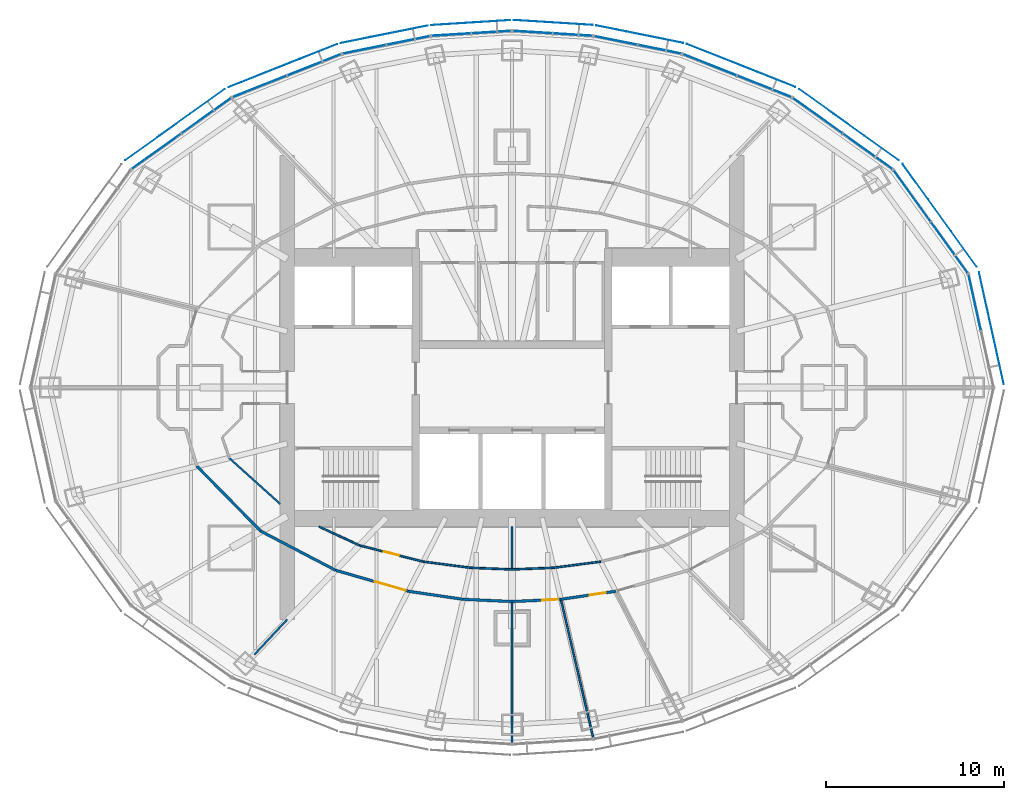
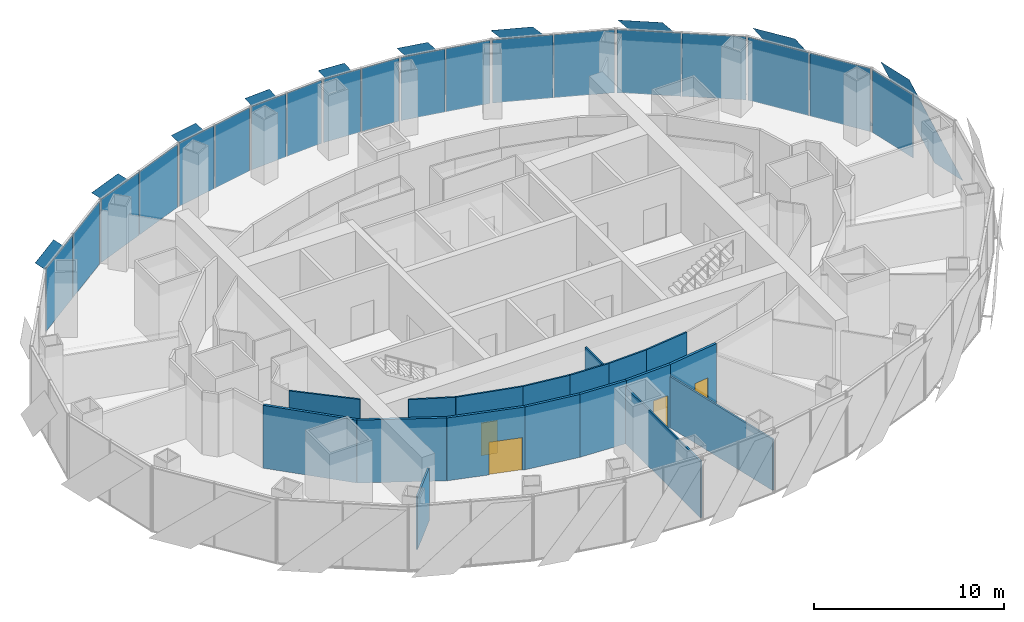
# One storey, part 11 of 17: 29 plates, 18 walls, 4 doors, 4 openings, 10 elements without a shape of their own.
"""IFC4 building model written with IfcOpenShell, lengths in metres."""

from ifc_helpers import new_model, si_unit, direction, frame, frame_2d, origin, origin_2d, place, context, subcontext, project, spatial, polyline, rectangle, outline, extrude, material, layer, layer_set, type_object, element, fill, aggregate, save


model = new_model("IFC4")

# Units and contexts
model_context = context("Model", 3, precision=1e-05, world=origin(), true_north=direction((0.0, 1.0)))
body_context = subcontext(model_context, "Body", "Model", "MODEL_VIEW")
ifc_project = project(units=[si_unit("LENGTHUNIT", "METRE"), si_unit("AREAUNIT", "SQUARE_METRE"), si_unit("VOLUMEUNIT", "CUBIC_METRE"), si_unit("PLANEANGLEUNIT", "RADIAN"), si_unit("MASSUNIT", "GRAM", prefix="KILO")], contexts=[model_context])

# Site, building, storey
site_placement = place(None, origin())
site = spatial("IfcSite", under=ifc_project, at=site_placement, CompositionType="ELEMENT")
building_placement = place(site_placement, origin())
building = spatial("IfcBuilding", under=site, at=building_placement, Name="Lantaw Convention Tower", CompositionType="ELEMENT")
storey_placement = place(building_placement, frame((0.0, 0.0, 224.199951171875)))
storey = spatial("IfcBuildingStorey", under=building, at=storey_placement, Name="L52", CompositionType="ELEMENT", Elevation=224.199951171875)

# Curtain wall, plate
ifc_material_1 = material(Name="Aluminium framed curtain wall", Category="aluminium")
curtain_wall_type = type_object("IfcCurtainWallType", Name="Office curtain wall high rise, pale aluminium", PredefinedType="USERDEFINED", material=ifc_material_1)
curtain_wall_1_placement = place(storey_placement, origin())
curtain_wall_1 = element("IfcCurtainWall", 1, at=curtain_wall_1_placement, inside=storey, type_object=curtain_wall_type, Name="Office curtain wall high rise, pale aluminium L52", ObjectType="UNITISED CURTAIN WALL", PredefinedType="USERDEFINED")
ifc_material_2 = material(Name="Clear insulating glass", Category="glass")
ifc_layer_1 = layer(ifc_material_2, 0.028076171875)
ifc_layer_set_1 = layer_set([ifc_layer_1], Name="CW-O2 panel 28")
plate_type_1 = type_object("IfcPlateType", Name="CW-O2 panel 28", PredefinedType="CURTAIN_PANEL", material=ifc_layer_set_1)
plate_1_placement = place(storey_placement, frame((25.945556640625, 4.769287109375, -0.0849609375), z_axis=(0.0, 0.0, 1.0), x_axis=(-0.215891333626, 0.976417396437, 0.0)))
plate_1 = element("IfcPlate", 2, at=plate_1_placement, type_object=plate_type_1, Name="CW-O2 panel 2.1", PredefinedType="CURTAIN_PANEL", context=body_context, shape_type="SweptSolid", body=[
    extrude(rectangle(XDim=3.169677734375, YDim=0.028076171875, at=origin_2d()), origin(), (0.0, 0.0, 1.0), 4.070068359375),
])
aggregate(curtain_wall_1, [plate_1])

# Curtain wall, plates
curtain_wall_2_placement = place(storey_placement, origin())
curtain_wall_2 = element("IfcCurtainWall", 3, at=curtain_wall_2_placement, inside=storey, type_object=curtain_wall_type, Name="Office curtain wall high rise, pale aluminium L52", ObjectType="UNITISED CURTAIN WALL", PredefinedType="USERDEFINED")
plate_2_placement = place(storey_placement, frame((24.527099609375, 7.852294921875, -0.0849609375), z_axis=(0.0, 0.0, 1.0), x_axis=(-0.585157643865, 0.810919559405, 0.0)))
plate_2 = element("IfcPlate", 4, at=plate_2_placement, type_object=plate_type_1, Name="CW-O2 panel 1.1", PredefinedType="CURTAIN_PANEL", context=body_context, shape_type="SweptSolid", body=[
    extrude(rectangle(XDim=3.500732421875, YDim=0.028076171875, at=origin_2d()), origin(), (0.0, 0.0, 1.0), 4.070068359375),
])
plate_3_placement = place(storey_placement, frame((22.4404296875, 10.743896484375, -0.0849609375), z_axis=(0.0, 0.0, 1.0), x_axis=(-0.585157643865, 0.810919559405, 0.0)))
plate_3 = element("IfcPlate", 5, at=plate_3_placement, type_object=plate_type_1, Name="CW-O2 panel 2.1", PredefinedType="CURTAIN_PANEL", context=body_context, shape_type="SweptSolid", body=[
    extrude(rectangle(XDim=3.500732421875, YDim=0.028076171875, at=origin_2d()), origin(), (0.0, 0.0, 1.0), 4.070068359375),
])
aggregate(curtain_wall_2, [plate_2, plate_3])

curtain_wall_3_placement = place(storey_placement, origin())
curtain_wall_3 = element("IfcCurtainWall", 6, at=curtain_wall_3_placement, inside=storey, type_object=curtain_wall_type, Name="Office curtain wall high rise, pale aluminium L52", ObjectType="UNITISED CURTAIN WALL", PredefinedType="USERDEFINED")
plate_4_placement = place(storey_placement, frame((19.947509765625, 13.23828125, -0.0849609375), z_axis=(0.0, 0.0, 1.0), x_axis=(-0.813672540482, 0.581323487281, 0.0)))
plate_4 = element("IfcPlate", 7, at=plate_4_placement, type_object=plate_type_1, Name="CW-O2 panel 1.1", PredefinedType="CURTAIN_PANEL", context=body_context, shape_type="SweptSolid", body=[
    extrude(rectangle(XDim=3.386474609375, YDim=0.028076171875, at=origin_2d()), origin(), (0.0, 0.0, 1.0), 4.070068359375),
])
plate_5_placement = place(storey_placement, frame((17.13916015625, 15.24462890625, -0.0849609375), z_axis=(0.0, 0.0, 1.0), x_axis=(-0.813672540482, 0.581323487281, 0.0)))
plate_5 = element("IfcPlate", 8, at=plate_5_placement, type_object=plate_type_1, Name="CW-O2 panel 2.1", PredefinedType="CURTAIN_PANEL", context=body_context, shape_type="SweptSolid", body=[
    extrude(rectangle(XDim=3.386474609375, YDim=0.028076171875, at=origin_2d()), origin(), (0.0, 0.0, 1.0), 4.070068359375),
])
aggregate(curtain_wall_3, [plate_4, plate_5])

curtain_wall_4_placement = place(storey_placement, origin())
curtain_wall_4 = element("IfcCurtainWall", 9, at=curtain_wall_4_placement, inside=storey, type_object=curtain_wall_type, Name="Office curtain wall high rise, pale aluminium L52", ObjectType="UNITISED CURTAIN WALL", PredefinedType="USERDEFINED")
plate_6_placement = place(storey_placement, frame((14.14990234375, 16.8837890625, -0.0849609375), z_axis=(0.0, 0.0, 1.0), x_axis=(-0.929761533743, 0.368162315252, 0.0)))
plate_6 = element("IfcPlate", 10, at=plate_6_placement, type_object=plate_type_1, Name="CW-O2 panel 1.1", PredefinedType="CURTAIN_PANEL", context=body_context, shape_type="SweptSolid", body=[
    extrude(rectangle(XDim=3.222900390625, YDim=0.028076171875, at=origin_2d()), origin(), (0.0, 0.0, 1.0), 4.070068359375),
])
plate_7_placement = place(storey_placement, frame((11.0927734375, 18.094482421875, -0.0849609375), z_axis=(0.0, 0.0, 1.0), x_axis=(-0.929761533743, 0.368162315252, 0.0)))
plate_7 = element("IfcPlate", 11, at=plate_7_placement, type_object=plate_type_1, Name="CW-O2 panel 2.1", PredefinedType="CURTAIN_PANEL", context=body_context, shape_type="SweptSolid", body=[
    extrude(rectangle(XDim=3.222900390625, YDim=0.028076171875, at=origin_2d()), origin(), (0.0, 0.0, 1.0), 4.070068359375),
])
aggregate(curtain_wall_4, [plate_6, plate_7])

curtain_wall_5_placement = place(storey_placement, origin())
curtain_wall_5 = element("IfcCurtainWall", 12, at=curtain_wall_5_placement, inside=storey, type_object=curtain_wall_type, Name="Office curtain wall high rise, pale aluminium L52", ObjectType="UNITISED CURTAIN WALL", PredefinedType="USERDEFINED")
plate_8_placement = place(storey_placement, frame((8.2724609375, 18.96533203125, -0.0849609375), z_axis=(0.0, 0.0, 1.0), x_axis=(-0.980366679695, 0.197183095987, 0.0)))
plate_8 = element("IfcPlate", 13, at=plate_8_placement, type_object=plate_type_1, Name="CW-O2 panel 1.1", PredefinedType="CURTAIN_PANEL", context=body_context, shape_type="SweptSolid", body=[
    extrude(rectangle(XDim=2.44384765625, YDim=0.028076171875, at=origin_2d()), origin(), (0.0, 0.0, 1.0), 4.070068359375),
])
plate_9_placement = place(storey_placement, frame((5.81298828125, 19.4599609375, -0.0849609375), z_axis=(0.0, 0.0, 1.0), x_axis=(-0.980366679695, 0.197183095987, 0.0)))
plate_9 = element("IfcPlate", 14, at=plate_9_placement, type_object=plate_type_1, Name="CW-O2 panel 2.1", PredefinedType="CURTAIN_PANEL", context=body_context, shape_type="SweptSolid", body=[
    extrude(rectangle(XDim=2.44384765625, YDim=0.028076171875, at=origin_2d()), origin(), (0.0, 0.0, 1.0), 4.070068359375),
])
aggregate(curtain_wall_5, [plate_8, plate_9])

curtain_wall_6_placement = place(storey_placement, origin())
curtain_wall_6 = element("IfcCurtainWall", 15, at=curtain_wall_6_placement, inside=storey, type_object=curtain_wall_type, Name="Office curtain wall high rise, pale aluminium L52", ObjectType="UNITISED CURTAIN WALL", PredefinedType="USERDEFINED")
plate_10_placement = place(storey_placement, frame((3.397216796875, 19.786376953125, -0.0849609375), z_axis=(0.0, 0.0, 1.0), x_axis=(-0.998028774865, 0.062757983884, 0.0)))
plate_10 = element("IfcPlate", 16, at=plate_10_placement, type_object=plate_type_1, Name="CW-O2 panel 1.1", PredefinedType="CURTAIN_PANEL", context=body_context, shape_type="SweptSolid", body=[
    extrude(rectangle(XDim=2.1826171875, YDim=0.028076171875, at=origin_2d()), origin(), (0.0, 0.0, 1.0), 4.070068359375),
])
plate_11_placement = place(storey_placement, frame((1.154052734375, 19.927490234375, -0.0849609375), z_axis=(0.0, 0.0, 1.0), x_axis=(-0.998028774865, 0.062757983884, 0.0)))
plate_11 = element("IfcPlate", 17, at=plate_11_placement, type_object=plate_type_1, Name="CW-O2 panel 2.1", PredefinedType="CURTAIN_PANEL", context=body_context, shape_type="SweptSolid", body=[
    extrude(rectangle(XDim=2.1826171875, YDim=0.028076171875, at=origin_2d()), origin(), (0.0, 0.0, 1.0), 4.070068359375),
])
aggregate(curtain_wall_6, [plate_10, plate_11])

curtain_wall_7_placement = place(storey_placement, origin())
curtain_wall_7 = element("IfcCurtainWall", 18, at=curtain_wall_7_placement, inside=storey, type_object=curtain_wall_type, Name="Office curtain wall high rise, pale aluminium L52", ObjectType="UNITISED CURTAIN WALL", PredefinedType="USERDEFINED")
plate_12_placement = place(storey_placement, frame((-1.154052734375, 19.927490234375, -0.0849609375), z_axis=(0.0, 0.0, 1.0), x_axis=(-0.998028774865, -0.062757983884, 0.0)))
plate_12 = element("IfcPlate", 19, at=plate_12_placement, type_object=plate_type_1, Name="CW-O2 panel 1.1", PredefinedType="CURTAIN_PANEL", context=body_context, shape_type="SweptSolid", body=[
    extrude(rectangle(XDim=2.1826171875, YDim=0.028076171875, at=origin_2d()), origin(), (0.0, 0.0, 1.0), 4.070068359375),
])
plate_13_placement = place(storey_placement, frame((-3.397216796875, 19.786376953125, -0.0849609375), z_axis=(0.0, 0.0, 1.0), x_axis=(-0.998028774865, -0.062757983884, 0.0)))
plate_13 = element("IfcPlate", 20, at=plate_13_placement, type_object=plate_type_1, Name="CW-O2 panel 2.1", PredefinedType="CURTAIN_PANEL", context=body_context, shape_type="SweptSolid", body=[
    extrude(rectangle(XDim=2.1826171875, YDim=0.028076171875, at=origin_2d()), origin(), (0.0, 0.0, 1.0), 4.070068359375),
])
aggregate(curtain_wall_7, [plate_12, plate_13])

curtain_wall_8_placement = place(storey_placement, origin())
curtain_wall_8 = element("IfcCurtainWall", 21, at=curtain_wall_8_placement, inside=storey, type_object=curtain_wall_type, Name="Office curtain wall high rise, pale aluminium L52", ObjectType="UNITISED CURTAIN WALL", PredefinedType="USERDEFINED")
plate_14_placement = place(storey_placement, frame((-5.81298828125, 19.4599609375, -0.0849609375), z_axis=(0.0, 0.0, 1.0), x_axis=(-0.980366679695, -0.197183095987, 0.0)))
plate_14 = element("IfcPlate", 22, at=plate_14_placement, type_object=plate_type_1, Name="CW-O2 panel 1.1", PredefinedType="CURTAIN_PANEL", context=body_context, shape_type="SweptSolid", body=[
    extrude(rectangle(XDim=2.44384765625, YDim=0.028076171875, at=origin_2d()), origin(), (0.0, 0.0, 1.0), 4.070068359375),
])
plate_15_placement = place(storey_placement, frame((-8.2724609375, 18.96533203125, -0.0849609375), z_axis=(0.0, 0.0, 1.0), x_axis=(-0.980366679695, -0.197183095987, 0.0)))
plate_15 = element("IfcPlate", 23, at=plate_15_placement, type_object=plate_type_1, Name="CW-O2 panel 2.1", PredefinedType="CURTAIN_PANEL", context=body_context, shape_type="SweptSolid", body=[
    extrude(rectangle(XDim=2.44384765625, YDim=0.028076171875, at=origin_2d()), origin(), (0.0, 0.0, 1.0), 4.070068359375),
])
aggregate(curtain_wall_8, [plate_14, plate_15])

curtain_wall_9_placement = place(storey_placement, origin())
curtain_wall_9 = element("IfcCurtainWall", 24, at=curtain_wall_9_placement, inside=storey, type_object=curtain_wall_type, Name="Office curtain wall high rise, pale aluminium L52", ObjectType="UNITISED CURTAIN WALL", PredefinedType="USERDEFINED")
plate_16_placement = place(storey_placement, frame((-11.0927734375, 18.094482421875, -0.0849609375), z_axis=(0.0, 0.0, 1.0), x_axis=(-0.929761533743, -0.368162315252, 0.0)))
plate_16 = element("IfcPlate", 25, at=plate_16_placement, type_object=plate_type_1, Name="CW-O2 panel 1.1", PredefinedType="CURTAIN_PANEL", context=body_context, shape_type="SweptSolid", body=[
    extrude(rectangle(XDim=3.222900390625, YDim=0.028076171875, at=origin_2d()), origin(), (0.0, 0.0, 1.0), 4.070068359375),
])
plate_17_placement = place(storey_placement, frame((-14.14990234375, 16.8837890625, -0.0849609375), z_axis=(0.0, 0.0, 1.0), x_axis=(-0.929761533743, -0.368162315252, 0.0)))
plate_17 = element("IfcPlate", 26, at=plate_17_placement, type_object=plate_type_1, Name="CW-O2 panel 2.1", PredefinedType="CURTAIN_PANEL", context=body_context, shape_type="SweptSolid", body=[
    extrude(rectangle(XDim=3.222900390625, YDim=0.028076171875, at=origin_2d()), origin(), (0.0, 0.0, 1.0), 4.070068359375),
])
aggregate(curtain_wall_9, [plate_16, plate_17])

curtain_wall_10_placement = place(storey_placement, origin())
curtain_wall_10 = element("IfcCurtainWall", 27, at=curtain_wall_10_placement, inside=storey, type_object=curtain_wall_type, Name="Office curtain wall high rise, pale aluminium L52", ObjectType="UNITISED CURTAIN WALL", PredefinedType="USERDEFINED")
plate_18_placement = place(storey_placement, frame((-17.13916015625, 15.24462890625, -0.0849609375), z_axis=(0.0, 0.0, 1.0), x_axis=(-0.813672540482, -0.581323487281, 0.0)))
plate_18 = element("IfcPlate", 28, at=plate_18_placement, type_object=plate_type_1, Name="CW-O2 panel 1.1", PredefinedType="CURTAIN_PANEL", context=body_context, shape_type="SweptSolid", body=[
    extrude(rectangle(XDim=3.386474609375, YDim=0.028076171875, at=origin_2d()), origin(), (0.0, 0.0, 1.0), 4.070068359375),
])
plate_19_placement = place(storey_placement, frame((-19.947509765625, 13.23828125, -0.0849609375), z_axis=(0.0, 0.0, 1.0), x_axis=(-0.813672540482, -0.581323487281, 0.0)))
plate_19 = element("IfcPlate", 29, at=plate_19_placement, type_object=plate_type_1, Name="CW-O2 panel 2.1", PredefinedType="CURTAIN_PANEL", context=body_context, shape_type="SweptSolid", body=[
    extrude(rectangle(XDim=3.386474609375, YDim=0.028076171875, at=origin_2d()), origin(), (0.0, 0.0, 1.0), 4.070068359375),
])
aggregate(curtain_wall_10, [plate_18, plate_19])

# Plates
ifc_material_3 = material(Name="Perforated aluminium sheet, pale silver finish", Category="aluminium")
ifc_layer_2 = layer(ifc_material_3, 0.006103515625)
ifc_layer_set_2 = layer_set([ifc_layer_2], Name="Perforated aluminium solar SCREEN panel")
plate_type_2 = type_object("IfcPlateType", Name="Perforated aluminium solar SCREEN panel", PredefinedType="SHEET", material=ifc_layer_set_2)
plate_20_placement = place(storey_placement, frame((27.580810546875, 0.1796875, -0.175048828125), z_axis=(0.976429511424, 0.215836529031, 4.4219438e-05), x_axis=(-0.215836529242, 0.976429512379, 0.0)))
element("IfcPlate", 30, at=plate_20_placement, inside=storey, type_object=plate_type_2, Name="Solar SCREEN panel", PredefinedType="SHEET", context=body_context, shape_type="SweptSolid", body=[
    extrude(outline(polyline([(0.0, 0.0), (2.2215525295212517, -3.3881317890172014e-21), (6.4341686174090675, 4.340087894868215), (4.212616087887817, 4.340087894868215), (0.0, 0.0)])), origin(), (0.0, 0.0, -1.0), 0.006103515625),
])
plate_21_placement = place(storey_placement, frame((26.051513671875, 6.775390625, -0.175048828125), z_axis=(-0.810892289695, -0.585195432394, 2.0458414e-05), x_axis=(-0.585195432516, 0.810892289865, 0.0)))
element("IfcPlate", 31, at=plate_21_placement, inside=storey, type_object=plate_type_2, Name="Solar SCREEN panel", PredefinedType="SHEET", context=body_context, shape_type="SweptSolid", body=[
    extrude(outline(polyline([(0.0, 0.0), (2.446848840683286, 6.776263578034403e-21), (7.09661046667572, -4.340087891533265), (4.649761625992435, -4.340087891533265), (0.0, 0.0)])), origin(), (0.0, 0.0, -1.0), 0.006103515625),
])
plate_22_placement = place(storey_placement, frame((21.689697265625, 12.73828125, -0.175048828125), z_axis=(0.581330799771, 0.813667316006, 1.0072414e-05), x_axis=(-0.813667316047, 0.5813307998, 3.02e-10)))
element("IfcPlate", 32, at=plate_22_placement, inside=storey, type_object=plate_type_2, Name="Solar SCREEN panel", PredefinedType="SHEET", context=body_context, shape_type="SweptSolid", body=[
    extrude(outline(polyline([(0.0, 0.0), (2.3691416428668504, 0.0), (6.867806096558412, 4.34008788877314), (4.498863102938644, 4.340087890202622), (0.0, 0.0)])), origin(), (0.0, 0.0, -1.0), 0.006103515625),
])
plate_23_placement = place(storey_placement, frame((15.88525390625, 16.8486328125, -0.175048828125), z_axis=(-0.368116612072, -0.929779629081, 3.5533269e-05), x_axis=(-0.929779629668, 0.368116612304, -1.786e-09)))
element("IfcPlate", 33, at=plate_23_placement, inside=storey, type_object=plate_type_2, Name="Solar SCREEN panel", PredefinedType="SHEET", context=body_context, shape_type="SweptSolid", body=[
    extrude(outline(polyline([(0.0, 0.0), (2.2578720663572183, -3.3881317890172014e-21), (6.540904465438181, -4.340087905048178), (4.282942526861161, -4.340087896982072), (0.0, 0.0)])), origin(), (0.0, 0.0, -1.0), 0.006103515625),
])
plate_24_placement = place(storey_placement, frame((9.6044921875, 19.315673828125, -0.175048828125), z_axis=(-0.197162069853, -0.980370908428, 1.0904083e-05), x_axis=(-0.980370908486, 0.197162069865, -7.55e-10)))
element("IfcPlate", 34, at=plate_24_placement, inside=storey, type_object=plate_type_2, Name="Solar SCREEN panel", PredefinedType="SHEET", context=body_context, shape_type="SweptSolid", body=[
    extrude(outline(polyline([(0.0, 0.0), (1.7279870169553606, 8.470329472543003e-22), (4.982578440602753, -4.340087894645749), (3.2545432883764285, -4.340087892035838), (0.0, 0.0)])), origin(), (0.0, 0.0, -1.0), 0.006103515625),
])
plate_25_placement = place(storey_placement, frame((4.539306640625, 20.32177734375, -0.175048828125), z_axis=(-0.062672387577, -0.998034151922, 5.858668e-05), x_axis=(-0.998034153635, 0.062672387685, 0.0)))
element("IfcPlate", 35, at=plate_25_placement, inside=storey, type_object=plate_type_2, Name="Solar SCREEN panel", PredefinedType="SHEET", context=body_context, shape_type="SweptSolid", body=[
    extrude(outline(polyline([(0.0, 0.0), (1.5504111513762302, 8.470329472543003e-22), (4.460200019412434, -4.340087898073457), (2.9097888680362036, -4.340087898073457), (0.0, 0.0)])), origin(), (0.0, 0.0, -1.0), 0.006103515625),
])
plate_26_placement = place(storey_placement, frame((-0.087890625, 20.6015625, -0.175048828125), z_axis=(-0.062672387577, 0.998034151922, 5.858668e-05), x_axis=(-0.998034153635, -0.062672387685, 0.0)))
element("IfcPlate", 36, at=plate_26_placement, inside=storey, type_object=plate_type_2, Name="Solar SCREEN panel", PredefinedType="SHEET", context=body_context, shape_type="SweptSolid", body=[
    extrude(outline(polyline([(0.0, 0.0), (1.5504111513762302, -8.470329472543003e-22), (4.460200019412434, 4.340087898073457), (2.9097888680362036, 4.340087898073457), (0.0, 0.0)])), origin(), (0.0, 0.0, -1.0), 0.006103515625),
])
plate_27_placement = place(storey_placement, frame((-4.7197265625, 20.298095703125, -0.175048828125), z_axis=(-0.197162069853, 0.980370908428, 1.0904083e-05), x_axis=(-0.980370908486, -0.197162069865, 7.55e-10)))
element("IfcPlate", 37, at=plate_27_placement, inside=storey, type_object=plate_type_2, Name="Solar SCREEN panel", PredefinedType="SHEET", context=body_context, shape_type="SweptSolid", body=[
    extrude(outline(polyline([(0.0, 0.0), (1.7280351522263238, 4.235164736271502e-22), (4.982578447157737, 4.34008788712039), (3.2545914302023755, 4.340087889730228), (0.0, 0.0)])), origin(), (0.0, 0.0, -1.0), 0.006103515625),
])
plate_28_placement = place(storey_placement, frame((-9.8037109375, 19.256591796875, -0.175048828125), z_axis=(-0.368116612072, 0.929779629081, 3.5533269e-05), x_axis=(-0.929779629668, -0.368116612304, 1.786e-09)))
element("IfcPlate", 38, at=plate_28_placement, inside=storey, type_object=plate_type_2, Name="Solar SCREEN panel", PredefinedType="SHEET", context=body_context, shape_type="SweptSolid", body=[
    extrude(outline(polyline([(0.0, 0.0), (2.257961938577019, 0.0), (6.540904480942253, 4.34008788168214), (4.283032414585035, 4.340087889747925), (0.0, 0.0)])), origin(), (0.0, 0.0, -1.0), 0.006103515625),
])
plate_29_placement = place(storey_placement, frame((-16.1015625, 16.730712890625, -0.175048828125), z_axis=(0.581330799771, -0.813667316006, 1.0072414e-05), x_axis=(-0.813667316047, -0.5813307998, -3.02e-10)))
element("IfcPlate", 39, at=plate_29_placement, inside=storey, type_object=plate_type_2, Name="Solar SCREEN panel", PredefinedType="SHEET", context=body_context, shape_type="SweptSolid", body=[
    extrude(outline(polyline([(0.0, 0.0), (2.3689429936197683, -1.6940658945086007e-21), (6.867806093939489, -4.340087892917353), (4.498664451072639, -4.340087891487751), (0.0, 0.0)])), origin(), (0.0, 0.0, -1.0), 0.006103515625),
])

# Walls
ifc_material_4 = material(Name="Gypsum board on steel studs, fire rated", Category="steel")
ifc_layer_3 = layer(ifc_material_4, 0.14990234375)
ifc_layer_set_3 = layer_set([ifc_layer_3], Name="Corridor wall 150 EI 60")
wall_type_1 = type_object("IfcWallType", Name="Corridor wall 150 EI 60", PredefinedType="PARTITIONING", material=ifc_layer_set_3)
wall_1_placement = place(storey_placement, frame((-17.6728515625, -4.40625, 0.0), z_axis=(0.0, 0.0, 1.0), x_axis=(0.701111216625, -0.713051934941, 0.0)))
element("IfcWall", 40, at=wall_1_placement, inside=storey, type_object=wall_type_1, Name="Corridor wall 150", PredefinedType="PARTITIONING", context=body_context, shape_type="SweptSolid", body=[
    extrude(rectangle(XDim=5.111572265625, YDim=0.14990234375, at=frame_2d((2.5556640625, 0.0))), origin(), (0.0, 0.0, 1.0), 4.050048828125),
])
wall_2_placement = place(storey_placement, frame((-14.089111328125, -8.051025390625, 0.0), z_axis=(0.0, 0.0, 1.0), x_axis=(0.886174439647, -0.463351769735, 0.0)))
element("IfcWall", 41, at=wall_2_placement, inside=storey, type_object=wall_type_1, Name="Corridor wall 150", PredefinedType="PARTITIONING", context=body_context, shape_type="SweptSolid", body=[
    extrude(rectangle(XDim=4.734619140625, YDim=0.14990234375, at=frame_2d((2.3671875, 0.0))), origin(), (0.0, 0.0, 1.0), 4.050048828125),
])

# Wall, opening, door
wall_3_placement = place(storey_placement, frame((-9.893310546875, -10.244873046875, 0.0), z_axis=(0.0, 0.0, 1.0), x_axis=(0.960614838378, -0.27788330696, 0.0)))
wall_3 = element("IfcWall", 42, at=wall_3_placement, inside=storey, type_object=wall_type_1, Name="Corridor wall 150", PredefinedType="PARTITIONING", context=body_context, shape_type="SweptSolid", body=[
    extrude(rectangle(XDim=4.239990234375, YDim=0.14990234375, at=frame_2d((2.1201171875, 0.0))), origin(), (0.0, 0.0, 1.0), 4.050048828125),
])
opening_1_placement = place(wall_3_placement, frame((2.2900390625, 0.0, 0.0)))
opening_1 = element("IfcOpeningElement", 43, at=opening_1_placement, cuts=wall_3, Name="Opening L52.29", PredefinedType="OPENING", context=body_context, shape_type="SweptSolid", body=[
    extrude(rectangle(XDim=1.800048828125, YDim=2.10009765625, at=frame_2d((0.89990234375, 1.050048828125))), frame((0.0, 0.0849609375, 0.0), z_axis=(0.0, -1.0, 0.0), x_axis=(1.0, 0.0, 0.0)), (0.0, 0.0, 1.0), 0.169921875),
])
ifc_material_5 = material(Name="Steel, fire rated", Category="steel")
door_type_1 = type_object("IfcDoorType", Name="Office double door 1800 FD30", OperationType="DOUBLE_DOOR_DOUBLE_SWING", PredefinedType="DOOR", material=ifc_material_5)
door_1_placement = place(opening_1_placement, origin())
door_1 = element("IfcDoor", 44, at=door_1_placement, inside=storey, type_object=door_type_1, Name="Open office door", OperationType="DOUBLE_DOOR_DOUBLE_SWING", OverallHeight=2.10009765625, OverallWidth=1.800048828125, PredefinedType="DOOR", context=body_context, shape_type="SweptSolid", body=[
    extrude(rectangle(XDim=1.800048828125, YDim=2.10009765625, at=frame_2d((0.89990234375, 1.050048828125))), frame((0.0, 0.02490234375, 0.0), z_axis=(0.0, -1.0, 0.0), x_axis=(1.0, 0.0, 0.0)), (0.0, 0.0, 1.0), 0.050048828125),
])
fill(opening_1, door_1)

# Walls
wall_4_placement = place(storey_placement, frame((-5.8203125, -11.423095703125, 0.0), z_axis=(0.0, 0.0, 1.0), x_axis=(0.989421822189, -0.145067080265, 0.0)))
element("IfcWall", 45, at=wall_4_placement, inside=storey, type_object=wall_type_1, Name="Corridor wall 150", PredefinedType="PARTITIONING", context=body_context, shape_type="SweptSolid", body=[
    extrude(rectangle(XDim=3.11181640625, YDim=0.14990234375, at=frame_2d((1.555908203125, 0.0))), origin(), (0.0, 0.0, 1.0), 4.050048828125),
])
wall_5_placement = place(storey_placement, frame((-2.741455078125, -11.87451171875, 0.0), z_axis=(0.0, 0.0, 1.0), x_axis=(0.998953998629, -0.045726454297, 0.0)))
element("IfcWall", 46, at=wall_5_placement, inside=storey, type_object=wall_type_1, Name="Corridor wall 150", PredefinedType="PARTITIONING", context=body_context, shape_type="SweptSolid", body=[
    extrude(rectangle(XDim=2.744384765625, YDim=0.14990234375, at=frame_2d((1.3720703125, 0.0))), origin(), (0.0, 0.0, 1.0), 4.050048828125),
])

# Wall, opening, door
wall_6_placement = place(storey_placement, frame((0.0, -12.0, 0.0), z_axis=(0.0, 0.0, 1.0), x_axis=(0.998953998629, 0.045726454297, 0.0)))
wall_6 = element("IfcWall", 47, at=wall_6_placement, inside=storey, type_object=wall_type_1, Name="Corridor wall 150", PredefinedType="PARTITIONING", context=body_context, shape_type="SweptSolid", body=[
    extrude(rectangle(XDim=2.744384765625, YDim=0.14990234375, at=frame_2d((1.3720703125, 0.0))), origin(), (0.0, 0.0, 1.0), 4.050048828125),
])
opening_2_placement = place(wall_6_placement, frame((1.6943359375, 0.0, 0.0)))
opening_2 = element("IfcOpeningElement", 48, at=opening_2_placement, cuts=wall_6, Name="Opening L52.30", PredefinedType="OPENING", context=body_context, shape_type="SweptSolid", body=[
    extrude(rectangle(XDim=0.89990234375, YDim=2.10009765625, at=frame_2d((0.449951171875, 1.050048828125))), frame((0.0, 0.0849609375, 0.0), z_axis=(0.0, -1.0, 0.0), x_axis=(1.0, 0.0, 0.0)), (0.0, 0.0, 1.0), 0.169921875),
])
door_type_2 = type_object("IfcDoorType", Name="Office door 900 FD30", OperationType="SINGLE_SWING_LEFT", PredefinedType="DOOR", material=ifc_material_5)
door_2_placement = place(opening_2_placement, origin())
door_2 = element("IfcDoor", 49, at=door_2_placement, inside=storey, type_object=door_type_2, Name="Meeting room door", OperationType="SINGLE_SWING_LEFT", OverallHeight=2.10009765625, OverallWidth=0.89990234375, PredefinedType="DOOR", context=body_context, shape_type="SweptSolid", body=[
    extrude(rectangle(XDim=0.89990234375, YDim=2.10009765625, at=frame_2d((0.449951171875, 1.050048828125))), frame((0.0, 0.02490234375, 0.0), z_axis=(0.0, -1.0, 0.0), x_axis=(1.0, 0.0, 0.0)), (0.0, 0.0, 1.0), 0.050048828125),
])
fill(opening_2, door_2)

wall_7_placement = place(storey_placement, frame((2.741455078125, -11.87451171875, 0.0), z_axis=(0.0, 0.0, 1.0), x_axis=(0.989421822189, 0.145067080265, 0.0)))
wall_7 = element("IfcWall", 50, at=wall_7_placement, inside=storey, type_object=wall_type_1, Name="Corridor wall 150", PredefinedType="PARTITIONING", context=body_context, shape_type="SweptSolid", body=[
    extrude(rectangle(XDim=3.11181640625, YDim=0.14990234375, at=frame_2d((1.555908203125, 0.0))), origin(), (0.0, 0.0, 1.0), 4.050048828125),
])
opening_3_placement = place(wall_7_placement, frame((1.636962890625, 0.0, 0.0)))
opening_3 = element("IfcOpeningElement", 51, at=opening_3_placement, cuts=wall_7, Name="Opening L52.31", PredefinedType="OPENING", context=body_context, shape_type="SweptSolid", body=[
    extrude(rectangle(XDim=0.89990234375, YDim=2.10009765625, at=frame_2d((0.449951171875, 1.050048828125))), frame((0.0, 0.0849609375, 0.0), z_axis=(0.0, -1.0, 0.0), x_axis=(1.0, 0.0, 0.0)), (0.0, 0.0, 1.0), 0.169921875),
])
door_3_placement = place(opening_3_placement, origin())
door_3 = element("IfcDoor", 52, at=door_3_placement, inside=storey, type_object=door_type_2, Name="Meeting room door", OperationType="SINGLE_SWING_LEFT", OverallHeight=2.10009765625, OverallWidth=0.89990234375, PredefinedType="DOOR", context=body_context, shape_type="SweptSolid", body=[
    extrude(rectangle(XDim=0.89990234375, YDim=2.10009765625, at=frame_2d((0.449951171875, 1.050048828125))), frame((0.0, 0.02490234375, 0.0), z_axis=(0.0, -1.0, 0.0), x_axis=(1.0, 0.0, 0.0)), (0.0, 0.0, 1.0), 0.050048828125),
])
fill(opening_3, door_3)

# Walls
ifc_material_6 = material(Name="Gypsum board on steel studs, acoustic", Category="steel")
ifc_layer_4 = layer(ifc_material_6, 0.10009765625)
ifc_layer_set_4 = layer_set([ifc_layer_4], Name="Office partition 100")
wall_type_2 = type_object("IfcWallType", Name="Office partition 100", PredefinedType="PARTITIONING", material=ifc_layer_set_4)
wall_8_placement = place(storey_placement, frame((0.0, -19.94482421875, 0.0), z_axis=(0.0, 0.0, 1.0), x_axis=(0.0, 1.0, 0.0)))
element("IfcWall", 53, at=wall_8_placement, inside=storey, type_object=wall_type_2, Name="Office partition 100", PredefinedType="PARTITIONING", context=body_context, shape_type="SweptSolid", body=[
    extrude(rectangle(XDim=7.94482421875, YDim=0.10009765625, at=frame_2d((3.972412109375, 0.0))), origin(), (0.0, 0.0, 1.0), 3.6435546875),
])
wall_9_placement = place(storey_placement, frame((4.5556640625, -19.65673828125, 0.0), z_axis=(0.0, 0.0, 1.0), x_axis=(-0.227034513848, 0.973886712879, 0.0)))
element("IfcWall", 54, at=wall_9_placement, inside=storey, type_object=wall_type_2, Name="Office partition 100", PredefinedType="PARTITIONING", context=body_context, shape_type="SweptSolid", body=[
    extrude(rectangle(XDim=7.990966796875, YDim=0.10009765625, at=frame_2d((3.99560546875, 0.0))), origin(), (0.0, 0.0, 1.0), 3.293212890625),
])
wall_10_placement = place(storey_placement, frame((-13.0, -6.5244140625, 0.0), z_axis=(0.0, 0.0, 1.0), x_axis=(-0.743177243228, 0.669094601046, 0.0)))
element("IfcWall", 55, at=wall_10_placement, inside=storey, type_object=wall_type_2, Name="Office partition 100", PredefinedType="PARTITIONING", context=body_context, shape_type="SweptSolid", body=[
    extrude(rectangle(XDim=3.842529296875, YDim=0.10009765625, at=frame_2d((1.92138671875, 0.0))), origin(), (0.0, 0.0, 1.0), 4.050048828125),
])
wall_11_placement = place(storey_placement, frame((-2.3330078125, -10.105712890625, 0.0), z_axis=(0.0, 0.0, 1.0), x_axis=(-0.99173579163, 0.128296997624, 0.0)))
element("IfcWall", 56, at=wall_11_placement, inside=storey, type_object=wall_type_2, Name="Office partition 100", PredefinedType="PARTITIONING", context=body_context, shape_type="SweptSolid", body=[
    extrude(rectangle(XDim=2.6640625, YDim=0.10009765625, at=frame_2d((1.33203125, 0.0))), origin(), (0.0, 0.0, 1.0), 4.050048828125),
])

# Wall, opening, door
wall_12_placement = place(storey_placement, frame((-4.97509765625, -9.763916015625, 0.0), z_axis=(0.0, 0.0, 1.0), x_axis=(-0.968887312542, 0.247502273921, 0.0)))
wall_12 = element("IfcWall", 57, at=wall_12_placement, inside=storey, type_object=wall_type_2, Name="Office partition 100", PredefinedType="PARTITIONING", context=body_context, shape_type="SweptSolid", body=[
    extrude(rectangle(XDim=3.687255859375, YDim=0.10009765625, at=frame_2d((1.84375, 0.0))), origin(), (0.0, 0.0, 1.0), 4.050048828125),
])
opening_4_placement = place(wall_12_placement, frame((1.393798828125, 0.0, 0.0)))
opening_4 = element("IfcOpeningElement", 58, at=opening_4_placement, cuts=wall_12, Name="Opening L52.19", PredefinedType="OPENING", context=body_context, shape_type="SweptSolid", body=[
    extrude(rectangle(XDim=0.89990234375, YDim=2.10009765625, at=frame_2d((0.449951171875, 1.050048828125))), frame((0.0, 0.06005859375, 0.0), z_axis=(0.0, -1.0, 0.0), x_axis=(1.0, 0.0, 0.0)), (0.0, 0.0, 1.0), 0.1201171875),
])
ifc_material_7 = material(Name="Timber", Category="wood")
door_type_3 = type_object("IfcDoorType", Name="Office door 900", OperationType="SINGLE_SWING_LEFT", PredefinedType="DOOR", material=ifc_material_7)
door_4_placement = place(opening_4_placement, origin())
door_4 = element("IfcDoor", 59, at=door_4_placement, inside=storey, type_object=door_type_3, Name="Project room door", OperationType="SINGLE_SWING_LEFT", OverallHeight=2.10009765625, OverallWidth=0.89990234375, PredefinedType="DOOR", context=body_context, shape_type="SweptSolid", body=[
    extrude(rectangle(XDim=0.89990234375, YDim=2.10009765625, at=frame_2d((0.449951171875, 1.050048828125))), frame((0.0, 0.02490234375, 0.0), z_axis=(0.0, -1.0, 0.0), x_axis=(1.0, 0.0, 0.0)), (0.0, 0.0, 1.0), 0.050048828125),
])
fill(opening_4, door_4)

# Walls
wall_13_placement = place(storey_placement, frame((-8.547607421875, -8.851318359375, 0.0), z_axis=(0.0, 0.0, 1.0), x_axis=(-0.907759689292, 0.419490579748, 0.0)))
element("IfcWall", 60, at=wall_13_placement, inside=storey, type_object=wall_type_2, Name="Office partition 100", PredefinedType="PARTITIONING", context=body_context, shape_type="SweptSolid", body=[
    extrude(rectangle(XDim=2.506103515625, YDim=0.10009765625, at=frame_2d((1.2529296875, 0.0))), origin(), (0.0, 0.0, 1.0), 4.050048828125),
])
wall_14_placement = place(storey_placement, frame((0.0, -7.800048828125, 0.0), z_axis=(0.0, 0.0, 1.0), x_axis=(0.0, -1.0, 0.0)))
element("IfcWall", 61, at=wall_14_placement, inside=storey, type_object=wall_type_2, Name="Office partition 100", PredefinedType="PARTITIONING", context=body_context, shape_type="SweptSolid", body=[
    extrude(rectangle(XDim=2.39990234375, YDim=0.10009765625, at=frame_2d((1.199951171875, 0.0))), origin(), (0.0, 0.0, 1.0), 3.6435546875),
])
wall_15_placement = place(storey_placement, frame((0.0, -10.199951171875, 0.0), z_axis=(0.0, 0.0, 1.0), x_axis=(-0.999185180766, 0.040360556695, 0.0)))
element("IfcWall", 62, at=wall_15_placement, inside=storey, type_object=wall_type_2, Name="Office partition 100", PredefinedType="PARTITIONING", context=body_context, shape_type="SweptSolid", body=[
    extrude(rectangle(XDim=2.3349609375, YDim=0.10009765625, at=frame_2d((1.16748046875, 0.0))), origin(), (0.0, 0.0, 1.0), 4.050048828125),
])
wall_16_placement = place(storey_placement, frame((4.97509765625, -9.763916015625, 0.0), z_axis=(0.0, 0.0, 1.0), x_axis=(-0.99173579163, -0.128296997624, 0.0)))
element("IfcWall", 63, at=wall_16_placement, inside=storey, type_object=wall_type_2, Name="Office partition 100", PredefinedType="PARTITIONING", context=body_context, shape_type="SweptSolid", body=[
    extrude(rectangle(XDim=2.6640625, YDim=0.10009765625, at=frame_2d((1.33203125, 0.0))), origin(), (0.0, 0.0, 1.0), 4.050048828125),
])
wall_17_placement = place(storey_placement, frame((2.3330078125, -10.105712890625, 0.0), z_axis=(0.0, 0.0, 1.0), x_axis=(-0.999185180766, -0.040360556695, 0.0)))
element("IfcWall", 64, at=wall_17_placement, inside=storey, type_object=wall_type_2, Name="Office partition 100", PredefinedType="PARTITIONING", context=body_context, shape_type="SweptSolid", body=[
    extrude(rectangle(XDim=2.3349609375, YDim=0.10009765625, at=frame_2d((1.16748046875, 0.0))), origin(), (0.0, 0.0, 1.0), 4.050048828125),
])
wall_18_placement = place(storey_placement, frame((-12.60009765625, -13.0, 0.0), z_axis=(0.0, 0.0, 1.0), x_axis=(-0.682434118301, -0.730947107648, 0.0)))
element("IfcWall", 65, at=wall_18_placement, inside=storey, type_object=wall_type_2, Name="Office partition 100", PredefinedType="PARTITIONING", context=body_context, shape_type="SweptSolid", body=[
    extrude(rectangle(XDim=2.702392578125, YDim=0.10009765625, at=frame_2d((1.35107421875, 0.0))), origin(), (0.0, 0.0, 1.0), 3.409912109375),
])

save(model, "model.ifc")
